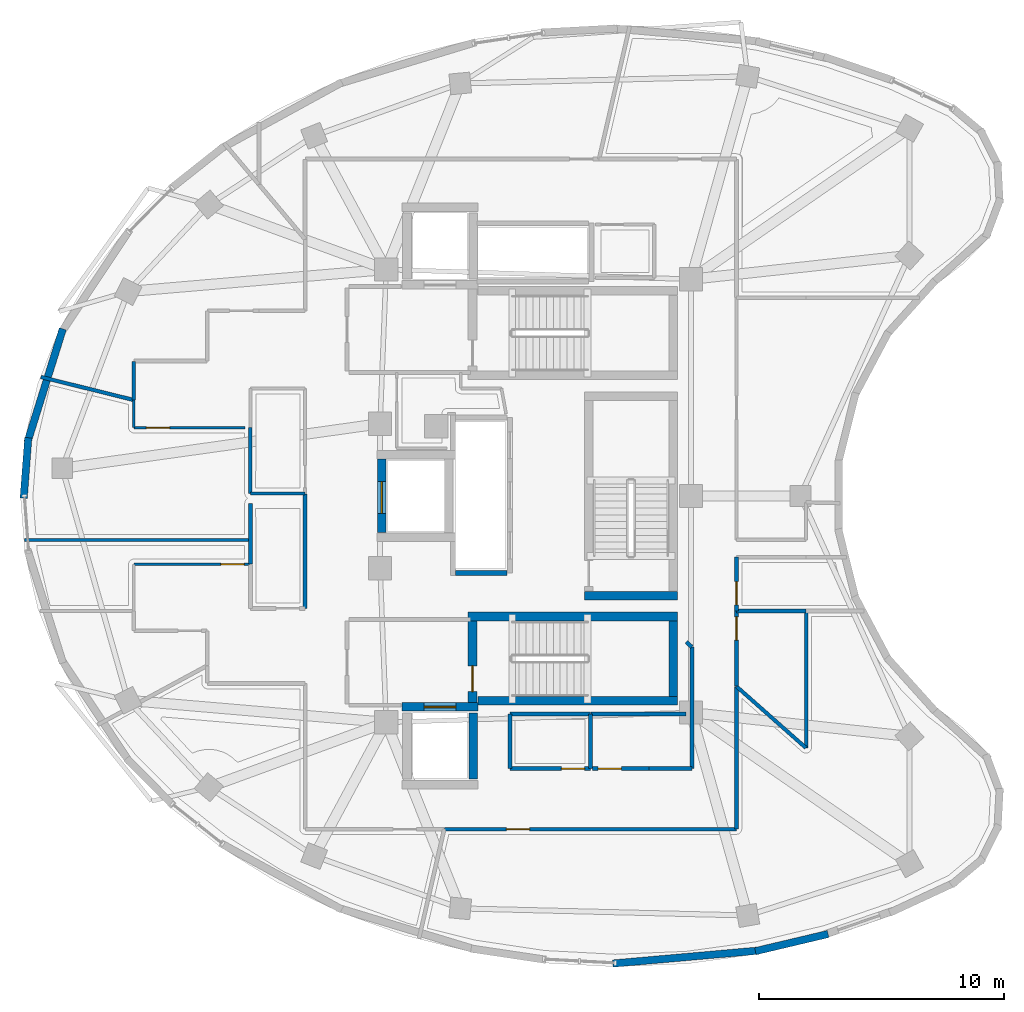
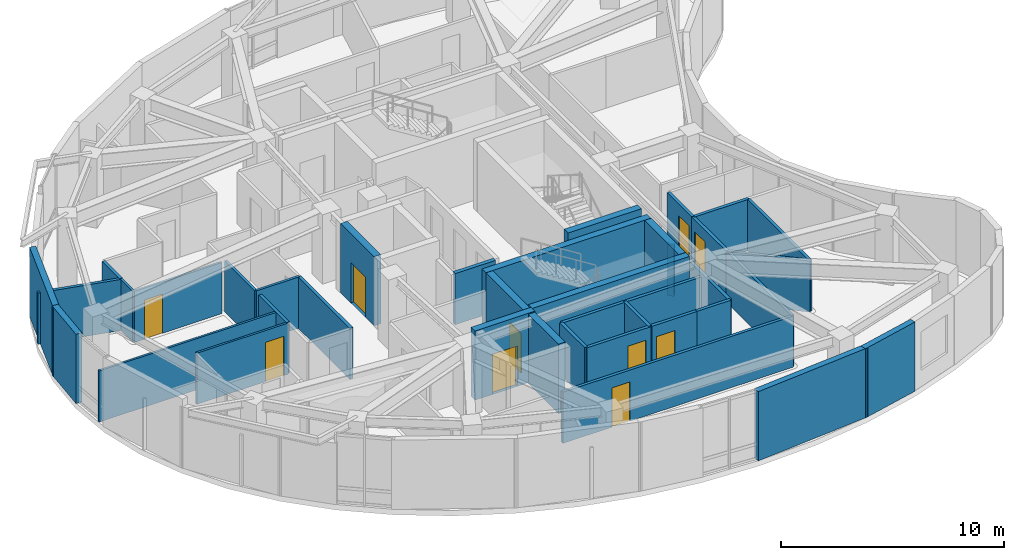
# One storey, part 6 of 12: 39 walls, 10 doors, 10 openings.
"""IFC4 building model written with IfcOpenShell, lengths in metres."""

import ifcopenshell
import ifcopenshell.guid

model = None  # the IFC model being written
_history = None  # IfcOwnerHistory: only IFC2X3 demands one
_inside = {}  # id of a spatial element -> (the spatial element, [elements in it])
_under = {}  # id of a project, library or spatial element -> (it, [spatial elements below it])
_declared = {}  # id of a project -> (the project, [libraries it declares])
_typed = {}  # id of a type object -> (the type object, [elements of that type])
_made_of = {}  # id of a material, layer set ... -> (it, [elements and type objects made of it])


def new_model(schema):
    """Start an empty IFC model of exactly this schema.

    Asked for "IFC4X3", IfcOpenShell would pick the latest addendum, in which some entities
    have other attributes; the version numbers below select the first issue.
    IFC2X3 requires an IfcOwnerHistory on every rooted entity: one is made here for all.
    """
    global model, _history
    if schema == "IFC4X3":
        model = ifcopenshell.file(schema_version=(4, 3, 0, 0))
    else:
        model = ifcopenshell.file(schema=schema)
    _inside.clear()
    _under.clear()
    _declared.clear()
    _typed.clear()
    _made_of.clear()
    _history = None
    if model.schema == "IFC2X3":
        org = make("IfcOrganization", Name="unknown")
        user = make(
            "IfcPersonAndOrganization",
            ThePerson=make("IfcPerson", FamilyName="unknown"),
            TheOrganization=org,
        )
        app = make(
            "IfcApplication",
            ApplicationDeveloper=org,
            Version="unknown",
            ApplicationFullName="unknown",
            ApplicationIdentifier="unknown",
        )
        _history = make(
            "IfcOwnerHistory",
            OwningUser=user,
            OwningApplication=app,
            ChangeAction="ADDED",
            CreationDate=0,
        )
    return model


def make(cls, **values):
    """One entity of the class cls with the attributes given. An attribute that is None is left unset."""
    return model.create_entity(
        cls, **{name: value for name, value in values.items() if value is not None}
    )


def rooted(cls, **values):
    """An entity with a GlobalId (a new one), such as an element, a storey or a relation."""
    return make(cls, GlobalId=ifcopenshell.guid.new(), OwnerHistory=_history, **values)


def si_unit(unit_type, name, prefix=None):
    """IfcSIUnit, for example si_unit("LENGTHUNIT", "METRE", prefix="MILLI")."""
    return make("IfcSIUnit", UnitType=unit_type, Prefix=prefix, Name=name)


def assignment(units):
    """IfcUnitAssignment: the units of a project."""
    return None if units is None else make("IfcUnitAssignment", Units=units)


def point(xyz):
    """IfcCartesianPoint."""
    return None if xyz is None else make("IfcCartesianPoint", Coordinates=xyz)


def direction(xyz):
    """IfcDirection."""
    return None if xyz is None else make("IfcDirection", DirectionRatios=xyz)


def frame(location, z_axis=None, x_axis=None):
    """IfcAxis2Placement3D, a coordinate frame: its origin and axes. An axis left out is left unset."""
    return make(
        "IfcAxis2Placement3D",
        Location=point(location),
        Axis=direction(z_axis),
        RefDirection=direction(x_axis),
    )


def frame_2d(location, x_axis=None):
    """IfcAxis2Placement2D, a coordinate frame in the plane: its origin and x axis."""
    return make(
        "IfcAxis2Placement2D", Location=point(location), RefDirection=direction(x_axis)
    )


def origin():
    """The frame at (0, 0, 0) with its axes left unset."""
    return frame((0.0, 0.0, 0.0))


def place(relative_to, where):
    """IfcLocalPlacement: puts the frame where relative to a parent placement (None: the world)."""
    return make(
        "IfcLocalPlacement", PlacementRelTo=relative_to, RelativePlacement=where
    )


def context(
    kind, dimensions, precision=None, world=None, true_north=None, identifier=None
):
    """IfcGeometricRepresentationContext, for example the 3D "Model" context."""
    return make(
        "IfcGeometricRepresentationContext",
        ContextIdentifier=identifier,
        ContextType=kind,
        CoordinateSpaceDimension=dimensions,
        Precision=precision,
        WorldCoordinateSystem=world,
        TrueNorth=true_north,
    )


def subcontext(parent, identifier, kind, view, scale=None):
    """IfcGeometricRepresentationSubContext, for example "Body" below "Model"."""
    return make(
        "IfcGeometricRepresentationSubContext",
        ContextIdentifier=identifier,
        ContextType=kind,
        ParentContext=parent,
        TargetScale=scale,
        TargetView=view,
    )


def project(units=None, contexts=None):
    """IfcProject with its units and contexts."""
    return rooted(
        "IfcProject",
        Name="project",
        RepresentationContexts=contexts,
        UnitsInContext=assignment(units),
    )


def spatial(cls, under=None, at=None, **own):
    """A site, building, storey or space (cls), placed at a placement, below another one or the project."""
    s = rooted(cls, ObjectPlacement=at, **own)
    if under is not None:
        _under.setdefault(under.id(), (under, []))[1].append(s)
    return s


def profile(cls, at=None, kind="AREA", **sizes):
    """A parametric profile (cls). Its sizes go by their IFC names, for example OverallWidth=200.0."""
    return make(cls, ProfileType=kind, Position=at, **sizes)


def rectangle(**sizes):
    """IfcRectangleProfileDef."""
    return profile("IfcRectangleProfileDef", **sizes)


def extrude(swept, where, along, depth):
    """IfcExtrudedAreaSolid: the profile swept, set in the frame where, extruded along a direction by depth."""
    return make(
        "IfcExtrudedAreaSolid",
        SweptArea=swept,
        Position=where,
        ExtrudedDirection=direction(along),
        Depth=depth,
    )


def shape(context_of_items, identifier, shape_type, items):
    """IfcShapeRepresentation: the items that make up one representation, for example the "Body"."""
    return make(
        "IfcShapeRepresentation",
        ContextOfItems=context_of_items,
        RepresentationIdentifier=identifier,
        RepresentationType=shape_type,
        Items=items,
    )


def material(Name=None, Category=None):
    """IfcMaterial."""
    return make("IfcMaterial", Name=Name, Category=Category)


def layer(
    of_material, thickness, ventilated=None, Name=None, Category=None, Priority=None
):
    """IfcMaterialLayer: one layer of a wall or slab, of a material (None: an air gap)."""
    return make(
        "IfcMaterialLayer",
        Material=of_material,
        LayerThickness=thickness,
        IsVentilated=ventilated,
        Name=Name,
        Category=Category,
        Priority=Priority,
    )


def layer_set(layers, Name=None):
    """IfcMaterialLayerSet."""
    return make("IfcMaterialLayerSet", MaterialLayers=layers, LayerSetName=Name)


def made_of(thing, what):
    """Note that an element or type object is made of a material, layer set ...; save() writes the relation."""
    if what is not None:
        _made_of.setdefault(what.id(), (what, []))[1].append(thing)
    return thing


def type_object(cls, material=None, **own):
    """A type object (cls), such as IfcWallType, which elements share."""
    return made_of(rooted(cls, **own), material)


def element(
    cls,
    number,
    at=None,
    inside=None,
    cuts=None,
    type_object=None,
    material=None,
    context=None,
    identifier="Body",
    shape_type=None,
    held_by="IfcProductDefinitionShape",
    body=None,
    shapes=None,
    **own,
):
    """One element of the class cls, such as IfcWall. Its Tag is "e" and its number.

    at: its placement. inside: the storey or other place that contains it. cuts: it is an
    opening in that element (IfcRelVoidsElement). A single representation is given by context,
    identifier, shape_type and body (its items); several are given by shapes. held_by: the class
    of the entity that holds the representations. save() writes the other relations.
    """
    e = rooted(cls, Tag="e%d" % number, ObjectPlacement=at, **own)
    if body is not None:
        shapes = [shape(context, identifier, shape_type, body)]
    if shapes is not None:
        e.Representation = make(held_by, Representations=shapes)
    if inside is not None:
        _inside.setdefault(inside.id(), (inside, []))[1].append(e)
    if cuts is not None:
        rooted(
            "IfcRelVoidsElement", RelatingBuildingElement=cuts, RelatedOpeningElement=e
        )
    if type_object is not None:
        _typed.setdefault(type_object.id(), (type_object, []))[1].append(e)
    return made_of(e, material)


def fill(opening, filler):
    """IfcRelFillsElement: the door or window that sits in an opening."""
    return rooted(
        "IfcRelFillsElement",
        RelatingOpeningElement=opening,
        RelatedBuildingElement=filler,
    )


def aggregate(whole, parts):
    """IfcRelAggregates: a whole, such as a stair, and the parts it consists of."""
    return rooted("IfcRelAggregates", RelatingObject=whole, RelatedObjects=parts)


def save(model, path):
    """Write the relations noted so far, then the file.

    IfcRelAggregates (storeys below a building ...), IfcRelContainedInSpatialStructure (elements
    in a storey), IfcRelDefinesByType, IfcRelAssociatesMaterial and IfcRelDeclares: one each for
    every whole, place, type object, material and project.
    """
    for whole, parts in _under.values():
        aggregate(whole, parts)
    for where, things in _inside.values():
        rooted(
            "IfcRelContainedInSpatialStructure",
            RelatedElements=things,
            RelatingStructure=where,
        )
    for kind, things in _typed.values():
        rooted("IfcRelDefinesByType", RelatedObjects=things, RelatingType=kind)
    for what, things in _made_of.values():
        rooted("IfcRelAssociatesMaterial", RelatedObjects=things, RelatingMaterial=what)
    for by, libraries in _declared.values():
        rooted("IfcRelDeclares", RelatingContext=by, RelatedDefinitions=libraries)
    model.write(path)


model = new_model("IFC4")

# Units and contexts
model_context = context("Model", 3, precision=1e-05, world=origin(), true_north=direction((0.0, 1.0)))
body_context = subcontext(model_context, "Body", "Model", "MODEL_VIEW")
ifc_project = project(units=[si_unit("LENGTHUNIT", "METRE"), si_unit("AREAUNIT", "SQUARE_METRE"), si_unit("VOLUMEUNIT", "CUBIC_METRE"), si_unit("PLANEANGLEUNIT", "RADIAN"), si_unit("MASSUNIT", "GRAM", prefix="KILO")], contexts=[model_context])

# Site, building, storey
site_placement = place(None, origin())
site = spatial("IfcSite", under=ifc_project, at=site_placement, CompositionType="ELEMENT")
building_placement = place(site_placement, origin())
building = spatial("IfcBuilding", under=site, at=building_placement, Name="Korentha Bioscience Tower", CompositionType="ELEMENT")
storey_placement = place(building_placement, frame((0.0, 0.0, 282.60009765625)))
storey = spatial("IfcBuildingStorey", under=building, at=storey_placement, Name="L65", CompositionType="ELEMENT", Elevation=282.60009765625)

# Wall, opening, door
ifc_material_1 = material(Name="Double-Stud Acoustic Gypsum", Category="gypsum")
ifc_layer_1 = layer(ifc_material_1, 0.14990234375, Name="Double-Stud Acoustic Gypsum")
ifc_layer_set_1 = layer_set([ifc_layer_1], Name="Double-Stud Acoustic Gypsum (IW-L150)")
wall_type_1 = type_object("IfcWallType", Name="Acoustic Laboratory Partition Wall 150", PredefinedType="PARTITIONING", material=ifc_layer_set_1)
wall_1_placement = place(storey_placement, frame((27.481201171875, 13.389892578125, 0.0), z_axis=(0.0, 0.0, 1.0), x_axis=(1.0, 0.0, 0.0)))
wall_1 = element("IfcWall", 1, at=wall_1_placement, inside=storey, type_object=wall_type_1, Name="L65 Staff Kitchenette and Dining Nook 05 Entrance Wall", PredefinedType="PARTITIONING", context=body_context, shape_type="SweptSolid", body=[
    extrude(rectangle(XDim=11.918701171875, YDim=0.14990234375, at=frame_2d((5.95947265625, 0.0))), origin(), (0.0, 0.0, 1.0), 2.7998046875),
])
opening_1_placement = place(wall_1_placement, frame((2.530029296875, 0.0, 0.0)))
opening_1 = element("IfcOpeningElement", 2, at=opening_1_placement, cuts=wall_1, Name="Opening ID-10R", PredefinedType="OPENING", context=body_context, shape_type="SweptSolid", body=[
    extrude(rectangle(XDim=0.949951171875, YDim=2.14990234375, at=frame_2d((0.47509765625, 1.074951171875))), frame((0.0, 0.08984375, 0.0), z_axis=(0.0, -1.0, 0.0), x_axis=(1.0, 0.0, 0.0)), (0.0, 0.0, 1.0), 0.1796875),
])
ifc_material_2 = material(Name="Phenolic Laminate Timber Core", Category="wood")
door_type_1 = type_object("IfcDoorType", Name="Laboratory Single Leaf Door 950x2150 Right", OperationType="SINGLE_SWING_RIGHT", PredefinedType="DOOR", material=ifc_material_2)
door_1_placement = place(opening_1_placement, origin())
door_1 = element("IfcDoor", 3, at=door_1_placement, inside=storey, type_object=door_type_1, Name="L65 Staff Kitchenette and Dining Nook 05 Door", OperationType="SINGLE_SWING_RIGHT", OverallHeight=2.14990234375, OverallWidth=0.949951171875, PredefinedType="DOOR", context=body_context, shape_type="SweptSolid", body=[
    extrude(rectangle(XDim=0.949951171875, YDim=2.14990234375, at=frame_2d((0.47509765625, 1.074951171875))), frame((0.0, 0.02490234375, 0.0), z_axis=(0.0, -1.0, 0.0), x_axis=(1.0, 0.0, 0.0)), (0.0, 0.0, 1.0), 0.050048828125),
])
fill(opening_1, door_1)

wall_2_placement = place(storey_placement, frame((39.409912109375, 22.30810546875, 0.0), z_axis=(0.0, 0.0, 1.0), x_axis=(0.0, 1.0, 0.0)))
wall_2 = element("IfcWall", 4, at=wall_2_placement, inside=storey, type_object=wall_type_1, Name="L65 Proteomics Crystallography Laboratory 07 Entrance Wall", PredefinedType="PARTITIONING", context=body_context, shape_type="SweptSolid", body=[
    extrude(rectangle(XDim=2.18994140625, YDim=0.14990234375, at=frame_2d((1.094970703125, 0.0))), origin(), (0.0, 0.0, 1.0), 2.7998046875),
])
opening_2_placement = place(wall_2_placement, frame((0.239990234375, 0.0, 0.0)))
opening_2 = element("IfcOpeningElement", 5, at=opening_2_placement, cuts=wall_2, Name="Opening ID-10R", PredefinedType="OPENING", context=body_context, shape_type="SweptSolid", body=[
    extrude(rectangle(XDim=0.949951171875, YDim=2.14990234375, at=frame_2d((0.47509765625, 1.074951171875))), frame((0.0, 0.08984375, 0.0), z_axis=(0.0, -1.0, 0.0), x_axis=(1.0, 0.0, 0.0)), (0.0, 0.0, 1.0), 0.1796875),
])
door_2_placement = place(opening_2_placement, origin())
door_2 = element("IfcDoor", 6, at=door_2_placement, inside=storey, type_object=door_type_1, Name="L65 Proteomics Crystallography Laboratory 07 Door", OperationType="SINGLE_SWING_RIGHT", OverallHeight=2.14990234375, OverallWidth=0.949951171875, PredefinedType="DOOR", context=body_context, shape_type="SweptSolid", body=[
    extrude(rectangle(XDim=0.949951171875, YDim=2.14990234375, at=frame_2d((0.47509765625, 1.074951171875))), frame((0.0, 0.02490234375, 0.0), z_axis=(0.0, -1.0, 0.0), x_axis=(1.0, 0.0, 0.0)), (0.0, 0.0, 1.0), 0.050048828125),
])
fill(opening_2, door_2)

# Walls
wall_3_placement = place(storey_placement, frame((42.251953125, 16.711181640625, 0.0), z_axis=(0.0, 0.0, 1.0), x_axis=(0.0, 1.0, 0.0)))
element("IfcWall", 7, at=wall_3_placement, inside=storey, type_object=wall_type_1, Name="L65 Interior Partition 045", PredefinedType="PARTITIONING", context=body_context, shape_type="SweptSolid", body=[
    extrude(rectangle(XDim=5.586669921875, YDim=0.14990234375, at=frame_2d((2.79345703125, 0.0))), origin(), (0.0, 0.0, 1.0), 2.7998046875),
])
wall_4_placement = place(storey_placement, frame((39.409912109375, 13.39990234375, 0.0), z_axis=(0.0, 0.0, 1.0), x_axis=(0.0, 1.0, 0.0)))
element("IfcWall", 8, at=wall_4_placement, inside=storey, type_object=wall_type_1, Name="L65 Interior Partition 047", PredefinedType="PARTITIONING", context=body_context, shape_type="SweptSolid", body=[
    extrude(rectangle(XDim=5.816650390625, YDim=0.14990234375, at=frame_2d((2.908203125, 0.0))), origin(), (0.0, 0.0, 1.0), 2.7998046875),
])
wall_5_placement = place(storey_placement, frame((39.409912109375, 19.216552734375, 0.0), z_axis=(0.0, 0.0, 1.0), x_axis=(0.748962096592, -0.662612841612, 0.0)))
element("IfcWall", 9, at=wall_5_placement, inside=storey, type_object=wall_type_1, Name="L65 Interior Partition 048", PredefinedType="PARTITIONING", context=body_context, shape_type="SweptSolid", body=[
    extrude(rectangle(XDim=3.785888671875, YDim=0.14990234375, at=frame_2d((1.89306640625, 0.0))), origin(), (0.0, 0.0, 1.0), 2.7998046875),
])
wall_6_placement = place(storey_placement, frame((14.7900390625, 32.5, 0.0), z_axis=(0.0, 0.0, 1.0), x_axis=(0.0, -1.0, 0.0)))
element("IfcWall", 10, at=wall_6_placement, inside=storey, type_object=wall_type_1, Name="L65 Interior Partition 073", PredefinedType="PARTITIONING", context=body_context, shape_type="SweptSolid", body=[
    extrude(rectangle(XDim=1.58154296875, YDim=0.14990234375, at=frame_2d((0.790771484375, 0.0))), origin(), (0.0, 0.0, 1.0), 2.7998046875),
])
wall_7_placement = place(storey_placement, frame((14.7900390625, 30.91845703125, 0.0), z_axis=(0.0, 0.0, 1.0), x_axis=(-0.97071660792, 0.240227531952, 0.0)))
element("IfcWall", 11, at=wall_7_placement, inside=storey, type_object=wall_type_1, Name="L65 Interior Partition 074", PredefinedType="PARTITIONING", context=body_context, shape_type="SweptSolid", body=[
    extrude(rectangle(XDim=3.90869140625, YDim=0.14990234375, at=frame_2d((1.954345703125, 0.0))), origin(), (0.0, 0.0, 1.0), 2.7998046875),
])

# Wall, opening, door
ifc_material_3 = material(Name="Fire-Rated Framed Glass", Category="glass")
ifc_layer_2 = layer(ifc_material_3, 0.110107421875, Name="Fire-Rated Framed Glass")
ifc_layer_set_2 = layer_set([ifc_layer_2], Name="Fire-Rated Framed Glass (IW-G110)")
wall_type_2 = type_object("IfcWallType", Name="Demountable Glazed Office Partition 110", PredefinedType="MOVABLE", material=ifc_layer_set_2)
wall_8_placement = place(storey_placement, frame((19.5400390625, 24.2099609375, 0.0), z_axis=(0.0, 0.0, 1.0), x_axis=(-1.0, 0.0, 0.0)))
wall_8 = element("IfcWall", 12, at=wall_8_placement, inside=storey, type_object=wall_type_2, Name="L65 Principal Investigator Office 01 Entrance Wall", PredefinedType="MOVABLE", context=body_context, shape_type="SweptSolid", body=[
    extrude(rectangle(XDim=4.739990234375, YDim=0.110107421875, at=frame_2d((2.3701171875, 0.0))), origin(), (0.0, 0.0, 1.0), 2.7998046875),
])
opening_3_placement = place(wall_8_placement, frame((0.239990234375, 0.0, 0.0)))
opening_3 = element("IfcOpeningElement", 13, at=opening_3_placement, cuts=wall_8, Name="Opening ID-10R", PredefinedType="OPENING", context=body_context, shape_type="SweptSolid", body=[
    extrude(rectangle(XDim=0.949951171875, YDim=2.14990234375, at=frame_2d((0.47509765625, 1.074951171875))), frame((0.0, 0.06982421875, 0.0), z_axis=(0.0, -1.0, 0.0), x_axis=(1.0, 0.0, 0.0)), (0.0, 0.0, 1.0), 0.139892578125),
])
door_3_placement = place(opening_3_placement, origin())
door_3 = element("IfcDoor", 14, at=door_3_placement, inside=storey, type_object=door_type_1, Name="L65 Principal Investigator Office 01 Door", OperationType="SINGLE_SWING_RIGHT", OverallHeight=2.14990234375, OverallWidth=0.949951171875, PredefinedType="DOOR", context=body_context, shape_type="SweptSolid", body=[
    extrude(rectangle(XDim=0.949951171875, YDim=2.14990234375, at=frame_2d((0.47509765625, 1.074951171875))), frame((0.0, 0.02490234375, 0.0), z_axis=(0.0, -1.0, 0.0), x_axis=(1.0, 0.0, 0.0)), (0.0, 0.0, 1.0), 0.050048828125),
])
fill(opening_3, door_3)

wall_9_placement = place(storey_placement, frame((14.800048828125, 29.7900390625, 0.0), z_axis=(0.0, 0.0, 1.0), x_axis=(1.0, 0.0, 0.0)))
wall_9 = element("IfcWall", 15, at=wall_9_placement, inside=storey, type_object=wall_type_2, Name="L65 Colloquium Huddle Room 13 Entrance Wall", PredefinedType="MOVABLE", context=body_context, shape_type="SweptSolid", body=[
    extrude(rectangle(XDim=4.533203125, YDim=0.110107421875, at=frame_2d((2.2666015625, 0.0))), origin(), (0.0, 0.0, 1.0), 2.7998046875),
])
opening_4_placement = place(wall_9_placement, frame((0.502197265625, 0.0, 0.0)))
opening_4 = element("IfcOpeningElement", 16, at=opening_4_placement, cuts=wall_9, Name="Opening ID-10R", PredefinedType="OPENING", context=body_context, shape_type="SweptSolid", body=[
    extrude(rectangle(XDim=0.949951171875, YDim=2.14990234375, at=frame_2d((0.47509765625, 1.074951171875))), frame((0.0, 0.06982421875, 0.0), z_axis=(0.0, -1.0, 0.0), x_axis=(1.0, 0.0, 0.0)), (0.0, 0.0, 1.0), 0.139892578125),
])
door_4_placement = place(opening_4_placement, origin())
door_4 = element("IfcDoor", 17, at=door_4_placement, inside=storey, type_object=door_type_1, Name="L65 Colloquium Huddle Room 13 Door", OperationType="SINGLE_SWING_RIGHT", OverallHeight=2.14990234375, OverallWidth=0.949951171875, PredefinedType="DOOR", context=body_context, shape_type="SweptSolid", body=[
    extrude(rectangle(XDim=0.949951171875, YDim=2.14990234375, at=frame_2d((0.47509765625, 1.074951171875))), frame((0.0, 0.02490234375, 0.0), z_axis=(0.0, -1.0, 0.0), x_axis=(1.0, 0.0, 0.0)), (0.0, 0.0, 1.0), 0.050048828125),
])
fill(opening_4, door_4)

# Walls
wall_10_placement = place(storey_placement, frame((10.31689453125, 25.197998046875, 0.0), z_axis=(0.0, 0.0, 1.0), x_axis=(1.0, 0.0, 0.0)))
element("IfcWall", 18, at=wall_10_placement, inside=storey, type_object=wall_type_2, Name="L65 Interior Partition 031", PredefinedType="MOVABLE", context=body_context, shape_type="SweptSolid", body=[
    extrude(rectangle(XDim=9.22314453125, YDim=0.110107421875, at=frame_2d((4.611572265625, 0.0))), origin(), (0.0, 0.0, 1.0), 2.7998046875),
])
wall_11_placement = place(storey_placement, frame((14.7900390625, 30.908447265625, 0.0), z_axis=(0.0, 0.0, 1.0), x_axis=(0.0, -1.0, 0.0)))
element("IfcWall", 19, at=wall_11_placement, inside=storey, type_object=wall_type_2, Name="L65 Interior Partition 075", PredefinedType="MOVABLE", context=body_context, shape_type="SweptSolid", body=[
    extrude(rectangle(XDim=1.1083984375, YDim=0.110107421875, at=frame_2d((0.55419921875, 0.0))), origin(), (0.0, 0.0, 1.0), 2.7998046875),
])

# Wall, opening, door
ifc_material_4 = material(Name="Gypsum-Clad Steel Stud", Category="steel")
ifc_layer_3 = layer(ifc_material_4, 0.159912109375, Name="Gypsum-Clad Steel Stud")
ifc_layer_set_3 = layer_set([ifc_layer_3], Name="Gypsum-Clad Steel Stud (IW-C160)")
wall_type_3 = type_object("IfcWallType", Name="Fire-Rated Corridor Partition Wall 160", PredefinedType="PARTITIONING", material=ifc_layer_set_3)
wall_12_placement = place(storey_placement, frame((33.449951171875, 15.860107421875, 0.0), z_axis=(0.0, 0.0, 1.0), x_axis=(-1.0, 0.0, 0.0)))
wall_12 = element("IfcWall", 20, at=wall_12_placement, inside=storey, type_object=wall_type_3, Name="L65 Core Instrumentation and Gas Store Entrance Wall", PredefinedType="PARTITIONING", context=body_context, shape_type="SweptSolid", body=[
    extrude(rectangle(XDim=3.300048828125, YDim=0.159912109375, at=frame_2d((1.64990234375, 0.0))), origin(), (0.0, 0.0, 1.0), 2.7998046875),
])
opening_5_placement = place(wall_12_placement, frame((0.239990234375, 0.0, 0.0)))
opening_5 = element("IfcOpeningElement", 21, at=opening_5_placement, cuts=wall_12, Name="Opening ID-10R", PredefinedType="OPENING", context=body_context, shape_type="SweptSolid", body=[
    extrude(rectangle(XDim=0.949951171875, YDim=2.14990234375, at=frame_2d((0.47509765625, 1.074951171875))), frame((0.0, 0.0947265625, 0.0), z_axis=(0.0, -1.0, 0.0), x_axis=(1.0, 0.0, 0.0)), (0.0, 0.0, 1.0), 0.189697265625),
])
door_5_placement = place(opening_5_placement, origin())
door_5 = element("IfcDoor", 22, at=door_5_placement, inside=storey, type_object=door_type_1, Name="L65 Core Instrumentation and Gas Store Door", OperationType="SINGLE_SWING_RIGHT", OverallHeight=2.14990234375, OverallWidth=0.949951171875, PredefinedType="DOOR", context=body_context, shape_type="SweptSolid", body=[
    extrude(rectangle(XDim=0.949951171875, YDim=2.14990234375, at=frame_2d((0.47509765625, 1.074951171875))), frame((0.0, 0.02490234375, 0.0), z_axis=(0.0, -1.0, 0.0), x_axis=(1.0, 0.0, 0.0)), (0.0, 0.0, 1.0), 0.050048828125),
])
fill(opening_5, door_5)

wall_13_placement = place(storey_placement, frame((35.840087890625, 15.860107421875, 0.0), z_axis=(0.0, 0.0, 1.0), x_axis=(-1.0, 0.0, 0.0)))
wall_13 = element("IfcWall", 23, at=wall_13_placement, inside=storey, type_object=wall_type_3, Name="L65 Biospecimen Archive Store 04 Entrance Wall", PredefinedType="PARTITIONING", context=body_context, shape_type="SweptSolid", body=[
    extrude(rectangle(XDim=2.32080078125, YDim=0.159912109375, at=frame_2d((1.160400390625, 0.0))), origin(), (0.0, 0.0, 1.0), 2.7998046875),
])
opening_6_placement = place(wall_13_placement, frame((1.130615234375, 0.0, 0.0)))
opening_6 = element("IfcOpeningElement", 24, at=opening_6_placement, cuts=wall_13, Name="Opening ID-10L", PredefinedType="OPENING", context=body_context, shape_type="SweptSolid", body=[
    extrude(rectangle(XDim=0.949951171875, YDim=2.14990234375, at=frame_2d((0.47509765625, 1.074951171875))), frame((0.0, 0.0947265625, 0.0), z_axis=(0.0, -1.0, 0.0), x_axis=(1.0, 0.0, 0.0)), (0.0, 0.0, 1.0), 0.189697265625),
])
door_type_2 = type_object("IfcDoorType", Name="Laboratory Single Leaf Door 950x2150 Left", OperationType="SINGLE_SWING_LEFT", PredefinedType="DOOR", material=ifc_material_2)
door_6_placement = place(opening_6_placement, origin())
door_6 = element("IfcDoor", 25, at=door_6_placement, inside=storey, type_object=door_type_2, Name="L65 Biospecimen Archive Store 04 Door", OperationType="SINGLE_SWING_LEFT", OverallHeight=2.14990234375, OverallWidth=0.949951171875, PredefinedType="DOOR", context=body_context, shape_type="SweptSolid", body=[
    extrude(rectangle(XDim=0.949951171875, YDim=2.14990234375, at=frame_2d((0.47509765625, 1.074951171875))), frame((0.0, 0.02490234375, 0.0), z_axis=(0.0, -1.0, 0.0), x_axis=(1.0, 0.0, 0.0)), (0.0, 0.0, 1.0), 0.050048828125),
])
fill(opening_6, door_6)

wall_14_placement = place(storey_placement, frame((39.409912109375, 19.2265625, 0.0), z_axis=(0.0, 0.0, 1.0), x_axis=(0.0, 1.0, 0.0)))
wall_14 = element("IfcWall", 26, at=wall_14_placement, inside=storey, type_object=wall_type_3, Name="L65 Specimen Barcoding Receiving Room 06 Entrance Wall", PredefinedType="PARTITIONING", context=body_context, shape_type="SweptSolid", body=[
    extrude(rectangle(XDim=3.071533203125, YDim=0.159912109375, at=frame_2d((1.53564453125, 0.0))), origin(), (0.0, 0.0, 1.0), 2.7998046875),
])
opening_7_placement = place(wall_14_placement, frame((1.88134765625, 0.0, 0.0)))
opening_7 = element("IfcOpeningElement", 27, at=opening_7_placement, cuts=wall_14, Name="Opening ID-10L", PredefinedType="OPENING", context=body_context, shape_type="SweptSolid", body=[
    extrude(rectangle(XDim=0.949951171875, YDim=2.14990234375, at=frame_2d((0.47509765625, 1.074951171875))), frame((0.0, 0.0947265625, 0.0), z_axis=(0.0, -1.0, 0.0), x_axis=(1.0, 0.0, 0.0)), (0.0, 0.0, 1.0), 0.189697265625),
])
door_7_placement = place(opening_7_placement, origin())
door_7 = element("IfcDoor", 28, at=door_7_placement, inside=storey, type_object=door_type_2, Name="L65 Specimen Barcoding Receiving Room 06 Door", OperationType="SINGLE_SWING_LEFT", OverallHeight=2.14990234375, OverallWidth=0.949951171875, PredefinedType="DOOR", context=body_context, shape_type="SweptSolid", body=[
    extrude(rectangle(XDim=0.949951171875, YDim=2.14990234375, at=frame_2d((0.47509765625, 1.074951171875))), frame((0.0, 0.02490234375, 0.0), z_axis=(0.0, -1.0, 0.0), x_axis=(1.0, 0.0, 0.0)), (0.0, 0.0, 1.0), 0.050048828125),
])
fill(opening_7, door_7)

# Walls
wall_15_placement = place(storey_placement, frame((30.14990234375, 15.860107421875, 0.0), z_axis=(0.0, 0.0, 1.0), x_axis=(0.0, 1.0, 0.0)))
element("IfcWall", 29, at=wall_15_placement, inside=storey, type_object=wall_type_3, Name="L65 Interior Partition 018", PredefinedType="PARTITIONING", context=body_context, shape_type="SweptSolid", body=[
    extrude(rectangle(XDim=2.22998046875, YDim=0.159912109375, at=frame_2d((1.114990234375, 0.0))), origin(), (0.0, 0.0, 1.0), 2.7998046875),
])
wall_16_placement = place(storey_placement, frame((30.14990234375, 18.090087890625, 0.0), z_axis=(0.0, 0.0, 1.0), x_axis=(1.0, 0.0, 0.0)))
element("IfcWall", 30, at=wall_16_placement, inside=storey, type_object=wall_type_3, Name="L65 Interior Partition 019", PredefinedType="PARTITIONING", context=body_context, shape_type="SweptSolid", body=[
    extrude(rectangle(XDim=3.300048828125, YDim=0.159912109375, at=frame_2d((1.64990234375, 0.0))), origin(), (0.0, 0.0, 1.0), 2.7998046875),
])
wall_17_placement = place(storey_placement, frame((33.449951171875, 18.090087890625, 0.0), z_axis=(0.0, 0.0, 1.0), x_axis=(0.0, -1.0, 0.0)))
element("IfcWall", 31, at=wall_17_placement, inside=storey, type_object=wall_type_3, Name="L65 Interior Partition 020", PredefinedType="PARTITIONING", context=body_context, shape_type="SweptSolid", body=[
    extrude(rectangle(XDim=2.22998046875, YDim=0.159912109375, at=frame_2d((1.114990234375, 0.0))), origin(), (0.0, 0.0, 1.0), 2.7998046875),
])
wall_18_placement = place(storey_placement, frame((21.7900390625, 27.080078125, 0.0), z_axis=(0.0, 0.0, 1.0), x_axis=(0.0, -1.0, 0.0)))
element("IfcWall", 32, at=wall_18_placement, inside=storey, type_object=wall_type_3, Name="L65 Interior Partition 023", PredefinedType="PARTITIONING", context=body_context, shape_type="SweptSolid", body=[
    extrude(rectangle(XDim=4.670166015625, YDim=0.159912109375, at=frame_2d((2.3349609375, 0.0))), origin(), (0.0, 0.0, 1.0), 2.7998046875),
])
wall_19_placement = place(storey_placement, frame((19.550048828125, 24.2099609375, 0.0), z_axis=(0.0, 0.0, 1.0), x_axis=(0.0, 1.0, 0.0)))
element("IfcWall", 33, at=wall_19_placement, inside=storey, type_object=wall_type_3, Name="L65 Interior Partition 025", PredefinedType="PARTITIONING", context=body_context, shape_type="SweptSolid", body=[
    extrude(rectangle(XDim=2.489990234375, YDim=0.159912109375, at=frame_2d((1.2451171875, 0.0))), origin(), (0.0, 0.0, 1.0), 2.7998046875),
])
wall_20_placement = place(storey_placement, frame((37.590087890625, 20.826904296875, 0.0), z_axis=(0.0, 0.0, 1.0), x_axis=(0.0, -1.0, 0.0)))
element("IfcWall", 34, at=wall_20_placement, inside=storey, type_object=wall_type_3, Name="L65 Interior Partition 041", PredefinedType="PARTITIONING", context=body_context, shape_type="SweptSolid", body=[
    extrude(rectangle(XDim=4.966796875, YDim=0.159912109375, at=frame_2d((2.4833984375, 0.0))), origin(), (0.0, 0.0, 1.0), 2.7998046875),
])
wall_21_placement = place(storey_placement, frame((37.590087890625, 15.860107421875, 0.0), z_axis=(0.0, 0.0, 1.0), x_axis=(-1.0, 0.0, 0.0)))
element("IfcWall", 35, at=wall_21_placement, inside=storey, type_object=wall_type_3, Name="L65 Interior Partition 042", PredefinedType="PARTITIONING", context=body_context, shape_type="SweptSolid", body=[
    extrude(rectangle(XDim=1.75, YDim=0.159912109375, at=frame_2d((0.875, 0.0))), origin(), (0.0, 0.0, 1.0), 2.7998046875),
])
wall_22_placement = place(storey_placement, frame((33.4599609375, 18.090087890625, 0.0), z_axis=(0.0, 0.0, 1.0), x_axis=(1.0, 0.0, 0.0)))
element("IfcWall", 36, at=wall_22_placement, inside=storey, type_object=wall_type_3, Name="L65 Interior Partition 043", PredefinedType="PARTITIONING", context=body_context, shape_type="SweptSolid", body=[
    extrude(rectangle(XDim=3.89013671875, YDim=0.159912109375, at=frame_2d((1.945068359375, 0.0))), origin(), (0.0, 0.0, 1.0), 2.7998046875),
])
wall_23_placement = place(storey_placement, frame((37.360107421875, 21.0302734375, 0.0), z_axis=(0.0, 0.0, 1.0), x_axis=(0.749117981058, -0.662436601084, 0.0)))
element("IfcWall", 37, at=wall_23_placement, inside=storey, type_object=wall_type_3, Name="L65 Interior Partition 044", PredefinedType="PARTITIONING", context=body_context, shape_type="SweptSolid", body=[
    extrude(rectangle(XDim=0.306884765625, YDim=0.159912109375, at=frame_2d((0.1533203125, 0.0))), origin(), (0.0, 0.0, 1.0), 2.7998046875),
])
wall_24_placement = place(storey_placement, frame((39.409912109375, 22.298095703125, 0.0), z_axis=(0.0, 0.0, 1.0), x_axis=(1.0, 0.0, 0.0)))
element("IfcWall", 38, at=wall_24_placement, inside=storey, type_object=wall_type_3, Name="L65 Interior Partition 049", PredefinedType="PARTITIONING", context=body_context, shape_type="SweptSolid", body=[
    extrude(rectangle(XDim=2.83203125, YDim=0.159912109375, at=frame_2d((1.416015625, 0.0))), origin(), (0.0, 0.0, 1.0), 2.7998046875),
])
ifc_material_5 = material(Name="Honed Limestone Precast Concrete C40", Category="masonry")
ifc_layer_4 = layer(ifc_material_5, 0.300048828125, Name="Honed Limestone Precast Concrete C40")
ifc_layer_set_4 = layer_set([ifc_layer_4], Name="Honed Limestone Precast Concrete C40 (EW-ST300)")
wall_type_4 = type_object("IfcWallType", Name="Honed Limestone Cavity Spandrel Wall 300", PredefinedType="STANDARD", material=ifc_layer_set_4)
wall_25_placement = place(storey_placement, frame((11.89111328125, 33.822998046875, 0.0), z_axis=(0.0, 0.0, 1.0), x_axis=(-0.297974306034, -0.954573890772, 0.0)))
element("IfcWall", 39, at=wall_25_placement, inside=storey, type_object=wall_type_4, Name="L65 Limestone Perimeter Closure Wall 16", PredefinedType="STANDARD", context=body_context, shape_type="SweptSolid", body=[
    extrude(rectangle(XDim=4.8544921875, YDim=0.300048828125, at=frame_2d((2.42724609375, 0.0))), origin(), (0.0, 0.0, 1.0), 3.789794921875),
])
wall_26_placement = place(storey_placement, frame((10.48046875, 29.376220703125, 0.0), z_axis=(0.0, 0.0, 1.0), x_axis=(-0.076379552952, -0.997078815285, 0.0)))
element("IfcWall", 40, at=wall_26_placement, inside=storey, type_object=wall_type_4, Name="L65 Limestone Perimeter Closure Wall 18", PredefinedType="STANDARD", context=body_context, shape_type="SweptSolid", body=[
    extrude(rectangle(XDim=2.47412109375, YDim=0.300048828125, at=frame_2d((1.237060546875, 0.0))), origin(), (0.0, 0.0, 1.0), 3.789794921875),
])
wall_27_placement = place(storey_placement, frame((34.362060546875, 7.89892578125, 0.0), z_axis=(0.0, 0.0, 1.0), x_axis=(0.99608733171, 0.088374360578, 0.0)))
element("IfcWall", 41, at=wall_27_placement, inside=storey, type_object=wall_type_4, Name="L65 Limestone Perimeter Closure Wall 32", PredefinedType="STANDARD", context=body_context, shape_type="SweptSolid", body=[
    extrude(rectangle(XDim=6.01953125, YDim=0.300048828125, at=frame_2d((3.009765625, 0.0))), origin(), (0.0, 0.0, 1.0), 3.789794921875),
])
wall_28_placement = place(storey_placement, frame((40.180908203125, 8.40234375, 0.0), z_axis=(0.0, 0.0, 1.0), x_axis=(0.97309443526, 0.230406640675, 0.0)))
element("IfcWall", 42, at=wall_28_placement, inside=storey, type_object=wall_type_4, Name="L65 Limestone Perimeter Closure Wall 34", PredefinedType="STANDARD", context=body_context, shape_type="SweptSolid", body=[
    extrude(rectangle(XDim=3.054931640625, YDim=0.300048828125, at=frame_2d((1.52734375, 0.0))), origin(), (0.0, 0.0, 1.0), 3.789794921875),
])
ifc_material_6 = material(Name="Autoclaved Aerated Concrete Block C25", Category="concrete")
ifc_layer_5 = layer(ifc_material_6, 0.199951171875, Name="Autoclaved Aerated Concrete Block C25")
ifc_layer_set_5 = layer_set([ifc_layer_5], Name="Autoclaved Aerated Concrete Block C25 (IW-S200)")
wall_type_5 = type_object("IfcWallType", Name="Lift and Riser Shaft Enclosure Wall 200", PredefinedType="PARTITIONING", material=ifc_layer_set_5)
wall_29_placement = place(storey_placement, frame((27.93408203125, 23.85009765625, 0.0), z_axis=(0.0, 0.0, 1.0), x_axis=(1.0, 0.0, 0.0)))
element("IfcWall", 43, at=wall_29_placement, inside=storey, type_object=wall_type_5, Name="L65 Lift Bank HIGH Shaft Wall -Y", PredefinedType="PARTITIONING", context=body_context, shape_type="SweptSolid", body=[
    extrude(rectangle(XDim=2.095947265625, YDim=0.199951171875, at=frame_2d((1.0478515625, 0.0))), origin(), (0.0, 0.0, 1.0), 2.7998046875),
])
ifc_material_7 = material(Name="Concrete C50", Category="concrete")
ifc_layer_6 = layer(ifc_material_7, 0.35009765625, Name="Concrete C50")
ifc_layer_set_6 = layer_set([ifc_layer_6], Name="Concrete C50 (CW-C50)")
wall_type_6 = type_object("IfcWallType", Name="Upper Core Shear Wall 350", PredefinedType="SHEAR", material=ifc_layer_set_6)
wall_30_placement = place(storey_placement, frame((28.85205078125, 18.625, 0.0), z_axis=(0.0, 0.0, 1.0), x_axis=(1.0, 0.0, 0.0)))
element("IfcWall", 44, at=wall_30_placement, inside=storey, type_object=wall_type_6, Name="L65 Core Shear Wall ST2-S", PredefinedType="SHEAR", context=body_context, shape_type="SweptSolid", body=[
    extrude(rectangle(XDim=8.14794921875, YDim=0.35009765625, at=frame_2d((4.073974609375, 0.0))), origin(), (0.0, 0.0, 1.0), 3.789794921875),
])
wall_31_placement = place(storey_placement, frame((28.449951171875, 22.074951171875, 0.0), z_axis=(0.0, 0.0, 1.0), x_axis=(1.0, 0.0, 0.0)))
element("IfcWall", 45, at=wall_31_placement, inside=storey, type_object=wall_type_6, Name="L65 Core Shear Wall ST2-N", PredefinedType="SHEAR", context=body_context, shape_type="SweptSolid", body=[
    extrude(rectangle(XDim=8.550048828125, YDim=0.35009765625, at=frame_2d((4.27490234375, 0.0))), origin(), (0.0, 0.0, 1.0), 3.789794921875),
])
wall_32_placement = place(storey_placement, frame((36.824951171875, 18.81005859375, 0.0), z_axis=(0.0, 0.0, 1.0), x_axis=(0.0, 1.0, 0.0)))
element("IfcWall", 46, at=wall_32_placement, inside=storey, type_object=wall_type_6, Name="L65 Core Shear Wall ST2-E", PredefinedType="SHEAR", context=body_context, shape_type="SweptSolid", body=[
    extrude(rectangle(XDim=3.079833984375, YDim=0.35009765625, at=frame_2d((1.5400390625, 0.0))), origin(), (0.0, 0.0, 1.0), 3.789794921875),
])

# Wall, opening, door
wall_33_placement = place(storey_placement, frame((28.625, 18.556884765625, 0.0), z_axis=(0.0, 0.0, 1.0), x_axis=(0.0, 1.0, 0.0)))
wall_33 = element("IfcWall", 47, at=wall_33_placement, inside=storey, type_object=wall_type_6, Name="L65 Core Shear Wall ST2-W", PredefinedType="SHEAR", context=body_context, shape_type="SweptSolid", body=[
    extrude(rectangle(XDim=3.3330078125, YDim=0.35009765625, at=frame_2d((1.66650390625, 0.0))), origin(), (0.0, 0.0, 1.0), 3.789794921875),
])
opening_8_placement = place(wall_33_placement, frame((0.452880859375, 0.0, 0.0)))
opening_8 = element("IfcOpeningElement", 48, at=opening_8_placement, cuts=wall_33, Name="Opening FD-90R", PredefinedType="OPENING", context=body_context, shape_type="SweptSolid", body=[
    extrude(rectangle(XDim=1.050048828125, YDim=2.14990234375, at=frame_2d((0.52490234375, 1.074951171875))), frame((0.0, 0.18994140625, 0.0), z_axis=(0.0, -1.0, 0.0), x_axis=(1.0, 0.0, 0.0)), (0.0, 0.0, 1.0), 0.3798828125),
])
ifc_material_8 = material(Name="Powder-Coated Fire-Rated Steel", Category="steel")
door_type_3 = type_object("IfcDoorType", Name="Stairwell Fire Exit Door 1050x2150 Right", OperationType="SINGLE_SWING_RIGHT", PredefinedType="DOOR", material=ifc_material_8)
door_8_placement = place(opening_8_placement, origin())
door_8 = element("IfcDoor", 49, at=door_8_placement, inside=storey, type_object=door_type_3, Name="L65 ST-2 Fire Exit Stair Door", OperationType="SINGLE_SWING_RIGHT", OverallHeight=2.14990234375, OverallWidth=1.050048828125, PredefinedType="DOOR", context=body_context, shape_type="SweptSolid", body=[
    extrude(rectangle(XDim=1.050048828125, YDim=2.14990234375, at=frame_2d((0.52490234375, 1.074951171875))), frame((0.0, 0.02490234375, 0.0), z_axis=(0.0, -1.0, 0.0), x_axis=(1.0, 0.0, 0.0)), (0.0, 0.0, 1.0), 0.050048828125),
])
fill(opening_8, door_8)

# Wall
wall_34_placement = place(storey_placement, frame((33.199951171875, 22.925048828125, 0.0), z_axis=(0.0, 0.0, 1.0), x_axis=(1.0, 0.0, 0.0)))
element("IfcWall", 50, at=wall_34_placement, inside=storey, type_object=wall_type_6, Name="L65 Core Shear Wall ST3-S", PredefinedType="SHEAR", context=body_context, shape_type="SweptSolid", body=[
    extrude(rectangle(XDim=3.800048828125, YDim=0.35009765625, at=frame_2d((1.89990234375, 0.0))), origin(), (0.0, 0.0, 1.0), 3.789794921875),
])

# Wall, opening, door
wall_35_placement = place(storey_placement, frame((25.75, 18.3798828125, 0.0), z_axis=(0.0, 0.0, 1.0), x_axis=(1.0, 0.0, 0.0)))
wall_35 = element("IfcWall", 51, at=wall_35_placement, inside=storey, type_object=wall_type_6, Name="L65 Core Shear Wall FFL1-N", PredefinedType="SHEAR", context=body_context, shape_type="SweptSolid", body=[
    extrude(rectangle(XDim=3.10009765625, YDim=0.35009765625, at=frame_2d((1.550048828125, 0.0))), origin(), (0.0, 0.0, 1.0), 3.789794921875),
])
opening_9_placement = place(wall_35_placement, frame((0.89990234375, 0.0, 0.0)))
opening_9 = element("IfcOpeningElement", 52, at=opening_9_placement, cuts=wall_35, Name="Opening LD-13", PredefinedType="OPENING", context=body_context, shape_type="SweptSolid", body=[
    extrude(rectangle(XDim=1.300048828125, YDim=2.199951171875, at=frame_2d((0.64990234375, 1.10009765625))), frame((0.0, 0.18994140625, 0.0), z_axis=(0.0, -1.0, 0.0), x_axis=(1.0, 0.0, 0.0)), (0.0, 0.0, 1.0), 0.3798828125),
])
ifc_material_9 = material(Name="Brushed Stainless Steel 316", Category="steel")
door_type_4 = type_object("IfcDoorType", Name="Service & Firefighting Lift Landing Door 1300x2300", OperationType="DOUBLE_DOOR_SLIDING", PredefinedType="DOOR", material=ifc_material_9)
door_9_placement = place(opening_9_placement, origin())
door_9 = element("IfcDoor", 53, at=door_9_placement, inside=storey, type_object=door_type_4, Name="L65 FFL-1 Sliding Lift Landing Door", OperationType="DOUBLE_DOOR_SLIDING", OverallHeight=2.199951171875, OverallWidth=1.300048828125, PredefinedType="DOOR", context=body_context, shape_type="SweptSolid", body=[
    extrude(rectangle(XDim=1.300048828125, YDim=2.199951171875, at=frame_2d((0.64990234375, 1.10009765625))), frame((0.0, 0.02490234375, 0.0), z_axis=(0.0, -1.0, 0.0), x_axis=(1.0, 0.0, 0.0)), (0.0, 0.0, 1.0), 0.050048828125),
])
fill(opening_9, door_9)

# Wall
wall_36_placement = place(storey_placement, frame((28.64990234375, 15.43994140625, 0.0), z_axis=(0.0, 0.0, 1.0), x_axis=(0.0, 1.0, 0.0)))
element("IfcWall", 54, at=wall_36_placement, inside=storey, type_object=wall_type_6, Name="L65 Core Shear Wall FFL1-E", PredefinedType="SHEAR", context=body_context, shape_type="SweptSolid", body=[
    extrude(rectangle(XDim=2.699951171875, YDim=0.35009765625, at=frame_2d((1.35009765625, 0.0))), origin(), (0.0, 0.0, 1.0), 3.789794921875),
])

# Wall, opening, door
wall_37_placement = place(storey_placement, frame((24.919921875, 25.4970703125, 0.0), z_axis=(0.0, 0.0, 1.0), x_axis=(0.0, 1.0, 0.0)))
wall_37 = element("IfcWall", 55, at=wall_37_placement, inside=storey, type_object=wall_type_6, Name="L65 Core Shear Wall SVL1-W", PredefinedType="SHEAR", context=body_context, shape_type="SweptSolid", body=[
    extrude(rectangle(XDim=3.005859375, YDim=0.35009765625, at=frame_2d((1.5029296875, 0.0))), origin(), (0.0, 0.0, 1.0), 3.789794921875),
])
opening_10_placement = place(wall_37_placement, frame((0.7900390625, 0.0, 0.0)))
opening_10 = element("IfcOpeningElement", 56, at=opening_10_placement, cuts=wall_37, Name="Opening LD-13", PredefinedType="OPENING", context=body_context, shape_type="SweptSolid", body=[
    extrude(rectangle(XDim=1.300048828125, YDim=2.199951171875, at=frame_2d((0.64990234375, 1.10009765625))), frame((0.0, 0.18994140625, 0.0), z_axis=(0.0, -1.0, 0.0), x_axis=(1.0, 0.0, 0.0)), (0.0, 0.0, 1.0), 0.3798828125),
])
door_10_placement = place(opening_10_placement, origin())
door_10 = element("IfcDoor", 57, at=door_10_placement, inside=storey, type_object=door_type_4, Name="L65 SVL-1 Sliding Lift Landing Door", OperationType="DOUBLE_DOOR_SLIDING", OverallHeight=2.199951171875, OverallWidth=1.300048828125, PredefinedType="DOOR", context=body_context, shape_type="SweptSolid", body=[
    extrude(rectangle(XDim=1.300048828125, YDim=2.199951171875, at=frame_2d((0.64990234375, 1.10009765625))), frame((0.0, 0.02490234375, 0.0), z_axis=(0.0, -1.0, 0.0), x_axis=(1.0, 0.0, 0.0)), (0.0, 0.0, 1.0), 0.050048828125),
])
fill(opening_10, door_10)

# Walls
ifc_material_10 = material(Name="Cement-Board Steel Stud", Category="steel")
ifc_layer_7 = layer(ifc_material_10, 0.1298828125, Name="Cement-Board Steel Stud")
ifc_layer_set_7 = layer_set([ifc_layer_7], Name="Cement-Board Steel Stud (IW-W130)")
wall_type_7 = type_object("IfcWallType", Name="Wet-Area Moisture-Resistant Partition 130", PredefinedType="PARTITIONING", material=ifc_layer_set_7)
wall_38_placement = place(storey_placement, frame((19.550048828125, 27.10009765625, 0.0), z_axis=(0.0, 0.0, 1.0), x_axis=(0.0, 1.0, 0.0)))
element("IfcWall", 58, at=wall_38_placement, inside=storey, type_object=wall_type_7, Name="L65 Interior Partition 027", PredefinedType="PARTITIONING", context=body_context, shape_type="SweptSolid", body=[
    extrude(rectangle(XDim=2.68994140625, YDim=0.1298828125, at=frame_2d((1.344970703125, 0.0))), origin(), (0.0, 0.0, 1.0), 2.7998046875),
])
wall_39_placement = place(storey_placement, frame((21.7900390625, 27.10009765625, 0.0), z_axis=(0.0, 0.0, 1.0), x_axis=(-1.0, 0.0, 0.0)))
element("IfcWall", 59, at=wall_39_placement, inside=storey, type_object=wall_type_7, Name="L65 Interior Partition 030", PredefinedType="PARTITIONING", context=body_context, shape_type="SweptSolid", body=[
    extrude(rectangle(XDim=2.239990234375, YDim=0.1298828125, at=frame_2d((1.1201171875, 0.0))), origin(), (0.0, 0.0, 1.0), 2.7998046875),
])

save(model, "model.ifc")
